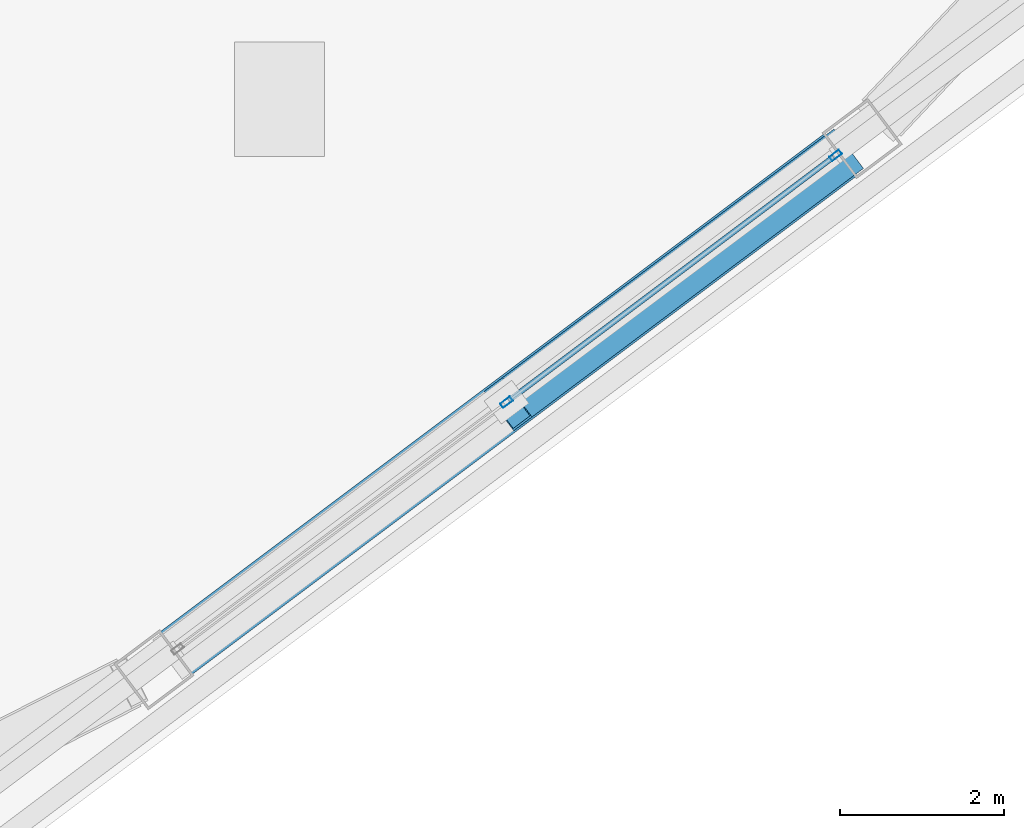
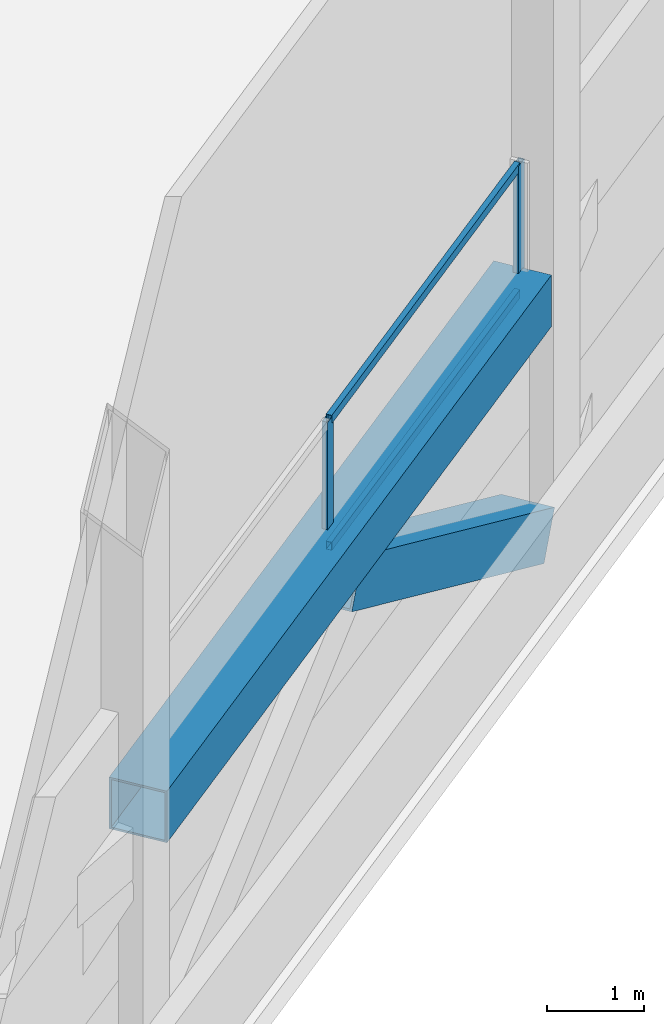
# One storey, part 19 of 37: 5 members, 1 beam, 1 element without a shape of its own.
"""IFC4 building model written with IfcOpenShell, lengths in metres."""

from ifc_helpers import new_model, si_unit, direction, frame, origin, origin_2d, place, context, subcontext, project, spatial, hollow_rectangle, extrude, material, material_profile, profile_set, type_object, element, aggregate, save


model = new_model("IFC4")

# Units and contexts
model_context = context("Model", 3, precision=1e-05, world=origin(), true_north=direction((0.0, 1.0)))
body_context = subcontext(model_context, "Body", "Model", "MODEL_VIEW")
ifc_project = project(units=[si_unit("LENGTHUNIT", "METRE"), si_unit("AREAUNIT", "SQUARE_METRE"), si_unit("VOLUMEUNIT", "CUBIC_METRE"), si_unit("PLANEANGLEUNIT", "RADIAN"), si_unit("MASSUNIT", "GRAM", prefix="KILO")], contexts=[model_context])

# Site, building, storey
site_placement = place(None, origin())
site = spatial("IfcSite", under=ifc_project, at=site_placement, CompositionType="ELEMENT")
building_placement = place(site_placement, origin())
building = spatial("IfcBuilding", under=site, at=building_placement, Name="Tashvorn Skyway Center", CompositionType="ELEMENT")
storey_placement = place(building_placement, frame((0.0, 0.0, 263.39990234375)))
storey = spatial("IfcBuildingStorey", under=building, at=storey_placement, Name="L71", CompositionType="ELEMENT", Elevation=263.39990234375)

# Beam
ifc_material_1 = material(Name="Steel ASTM A572 Grade 50", Category="steel")
ifc_material_profile_1 = material_profile(ifc_material_1, hollow_rectangle(XDim=0.64990234375, YDim=0.64990234375, WallThickness=0.02490234375, at=origin_2d()), Name="BOX650x650x25")
ifc_profile_set_1 = profile_set([ifc_material_profile_1], Name="Steel ASTM A572 Grade 50")
beam_type = type_object("IfcBeamType", Name="BM-BEAM-BOX650x650x25", PredefinedType="BEAM", material=ifc_profile_set_1)
beam_placement = place(storey_placement, frame((118.26611328125, 17.886962890625, 3.316650390625), z_axis=(0.8, 0.6, 0.0), x_axis=(-0.6, 0.8, 0.0)))
element("IfcBeam", 1, at=beam_placement, inside=storey, type_object=beam_type, Name="CROWN FRAME Tower 2 Lower-Tier Ring Beam 02", PredefinedType="BEAM", context=body_context, shape_type="SweptSolid", body=[
    extrude(hollow_rectangle(XDim=0.64990234375, YDim=0.64990234375, WallThickness=0.02490234375, at=origin_2d()), origin(), (0.0, 0.0, 1.0), 10.10986328125),
])

# Curtain wall, members
ifc_material_2 = material(Name="Thermally broken bronze-anodized aluminium 6063-T6", Category="aluminium")
curtain_wall_type = type_object("IfcCurtainWallType", Name="CW-CW-SKY", PredefinedType="NOTDEFINED", material=ifc_material_2)
curtain_wall_placement = place(storey_placement, origin())
curtain_wall = element("IfcCurtainWall", 2, at=curtain_wall_placement, inside=storey, type_object=curtain_wall_type, Name="CROWN Lantern Fritted Curtain Wall T2 S-3", PredefinedType="NOTDEFINED")
ifc_material_profile_2 = material_profile(ifc_material_2, hollow_rectangle(XDim=0.06494140625, YDim=0.14990234375, WallThickness=0.00390625, at=origin_2d()), Name="ALU-MULL-65x150")
ifc_profile_set_2 = profile_set([ifc_material_profile_2], Name="Thermally broken bronze-anodized aluminium 6063-T6")
member_type_1 = type_object("IfcMemberType", Name="CWM-CW-SKY", PredefinedType="MULLION", material=ifc_profile_set_2)
member_1_placement = place(storey_placement, frame((126.305908203125, 23.95458984375, 3.330078125), z_axis=(0.0, 0.0, 1.0), x_axis=(0.600000000002, -0.799999999998, 0.0)))
member_1 = element("IfcMember", 3, at=member_1_placement, type_object=member_type_1, Name="CW-SKY mullion 1", PredefinedType="MULLION", context=body_context, shape_type="SweptSolid", body=[
    extrude(hollow_rectangle(XDim=0.06494140625, YDim=0.14990234375, WallThickness=0.00390625, at=origin_2d()), origin(), (0.0, 0.0, 1.0), 1.6650390625),
])
member_2_placement = place(storey_placement, frame((122.2919921875, 20.944091796875, 3.330078125), z_axis=(0.0, 0.0, 1.0), x_axis=(0.600000000002, -0.799999999998, 0.0)))
member_2 = element("IfcMember", 4, at=member_2_placement, type_object=member_type_1, Name="CW-SKY mullion 2", PredefinedType="MULLION", context=body_context, shape_type="SweptSolid", body=[
    extrude(hollow_rectangle(XDim=0.06494140625, YDim=0.14990234375, WallThickness=0.00390625, at=origin_2d()), origin(), (0.0, 0.0, 1.0), 1.6650390625),
])
ifc_material_profile_3 = material_profile(ifc_material_2, hollow_rectangle(XDim=0.06494140625, YDim=0.10498046875, WallThickness=0.00390625, at=origin_2d()), Name="ALU-TRAN-65x105")
ifc_profile_set_3 = profile_set([ifc_material_profile_3], Name="Thermally broken bronze-anodized aluminium 6063-T6")
member_type_2 = type_object("IfcMemberType", Name="CWT-CW-SKY", PredefinedType="USERDEFINED", material=ifc_profile_set_3)
member_3_placement = place(storey_placement, frame((126.280029296875, 23.93505859375, 3.362548828125), z_axis=(-0.799976337273, -0.600031549007, 0.0), x_axis=(0.600031549007, -0.799976337273, 0.0)))
member_3 = element("IfcMember", 5, at=member_3_placement, type_object=member_type_2, Name="CW-SKY transom 1.1", ObjectType="TRANSOM", PredefinedType="USERDEFINED", context=body_context, shape_type="SweptSolid", body=[
    extrude(hollow_rectangle(XDim=0.06494140625, YDim=0.10498046875, WallThickness=0.00390625, at=origin_2d()), origin(), (0.0, 0.0, 1.0), 4.95263671875),
])
member_4_placement = place(storey_placement, frame((126.280029296875, 23.93505859375, 4.962646484375), z_axis=(-0.799976337273, -0.600031549007, 0.0), x_axis=(0.600031549007, -0.799976337273, 0.0)))
member_4 = element("IfcMember", 6, at=member_4_placement, type_object=member_type_2, Name="CW-SKY transom 1.2", ObjectType="TRANSOM", PredefinedType="USERDEFINED", context=body_context, shape_type="SweptSolid", body=[
    extrude(hollow_rectangle(XDim=0.06494140625, YDim=0.10498046875, WallThickness=0.00390625, at=origin_2d()), origin(), (0.0, 0.0, 1.0), 4.95263671875),
])
aggregate(curtain_wall, [member_1, member_2, member_3, member_4])

# Member
ifc_material_profile_4 = material_profile(ifc_material_1, hollow_rectangle(XDim=0.60009765625, YDim=0.60009765625, WallThickness=0.02490234375, at=origin_2d()), Name="BOX600x600x25")
ifc_profile_set_4 = profile_set([ifc_material_profile_4], Name="Steel ASTM A572 Grade 50")
member_type_3 = type_object("IfcMemberType", Name="MEM-CF-BRC-600", PredefinedType="BRACE", material=ifc_profile_set_4)
member_5_placement = place(storey_placement, frame((126.35400390625, 23.952880859375, 0.35009765625), z_axis=(-0.708728196001, -0.531546147001, 0.463856699641), x_axis=(0.6, -0.8, 0.0)))
element("IfcMember", 7, at=member_5_placement, inside=storey, type_object=member_type_3, Name="CROWN FRAME Tower 2 Tier-1 Chevron Brace 02B", PredefinedType="BRACE", context=body_context, shape_type="SweptSolid", body=[
    extrude(hollow_rectangle(XDim=0.60009765625, YDim=0.60009765625, WallThickness=0.02490234375, at=origin_2d()), origin(), (0.0, 0.0, 1.0), 5.705810546875),
])

save(model, "model.ifc")
